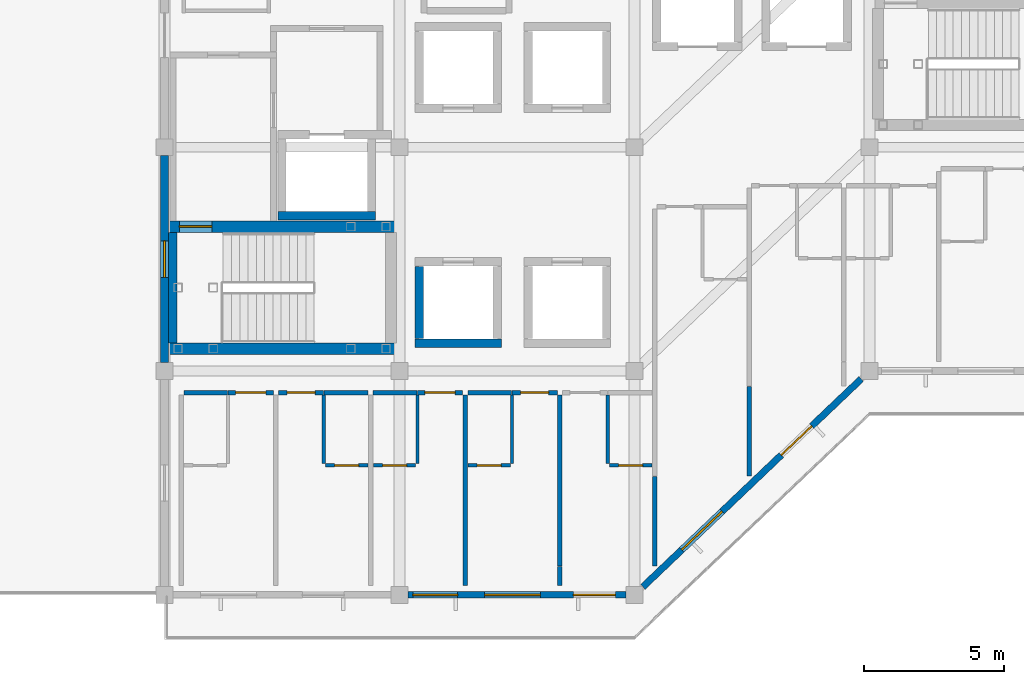
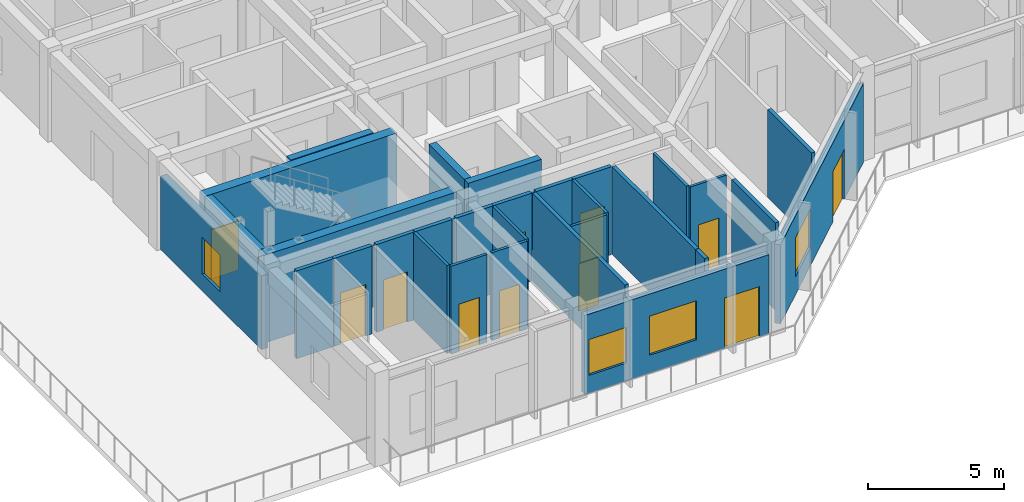
# One storey, part 4 of 13: 30 walls, 11 doors, 4 windows, 15 openings.
"""IFC4 building model written with IfcOpenShell, lengths in metres."""

from ifc_helpers import new_model, si_unit, direction, frame, frame_2d, origin, place, context, subcontext, project, spatial, rectangle, extrude, material, layer, layer_set, type_object, element, fill, save


model = new_model("IFC4")

# Units and contexts
model_context = context("Model", 3, precision=1e-05, world=origin(), true_north=direction((0.0, 1.0)))
body_context = subcontext(model_context, "Body", "Model", "MODEL_VIEW")
ifc_project = project(units=[si_unit("LENGTHUNIT", "METRE"), si_unit("AREAUNIT", "SQUARE_METRE"), si_unit("VOLUMEUNIT", "CUBIC_METRE"), si_unit("PLANEANGLEUNIT", "RADIAN"), si_unit("MASSUNIT", "GRAM", prefix="KILO")], contexts=[model_context])

# Site, building, storey
site_placement = place(None, origin())
site = spatial("IfcSite", under=ifc_project, at=site_placement, CompositionType="ELEMENT")
building_placement = place(site_placement, origin())
building = spatial("IfcBuilding", under=site, at=building_placement, Name="Naruveol Harbour Congress Hotel", CompositionType="ELEMENT")
storey_placement = place(building_placement, frame((0.0, 0.0, 43.199951171875)))
storey = spatial("IfcBuildingStorey", under=building, at=storey_placement, Name="L10", CompositionType="ELEMENT", Elevation=43.199951171875)

# Wall, opening, window
ifc_material_1 = material(Name="Precast concrete C40/50", Category="concrete")
ifc_layer_1 = layer(ifc_material_1, 0.280029296875)
ifc_layer_set_1 = layer_set([ifc_layer_1], Name="Precast concrete C40/50")
wall_type_1 = type_object("IfcWallType", Name="ARCHITECTURAL PRECAST FACADE WALL 280", PredefinedType="SOLIDWALL", material=ifc_layer_set_1)
wall_1_placement = place(storey_placement, frame((126.0, 8.300048828125, 0.0), z_axis=(0.0, 0.0, 1.0), x_axis=(0.0, 1.0, 0.0)))
wall_1 = element("IfcWall", 1, at=wall_1_placement, inside=storey, type_object=wall_type_1, Name="Hotel west gable wall L10 EW-280", PredefinedType="SOLIDWALL", context=body_context, shape_type="SweptSolid", body=[
    extrude(rectangle(XDim=7.39990234375, YDim=0.280029296875, at=frame_2d((3.699951171875, 0.0))), origin(), (0.0, 0.0, 1.0), 3.300048828125),
])
opening_1_placement = place(wall_1_placement, frame((3.050048828125, 0.0, 0.75)))
opening_1 = element("IfcOpeningElement", 2, at=opening_1_placement, cuts=wall_1, Name="Opening W-27", PredefinedType="OPENING", context=body_context, shape_type="SweptSolid", body=[
    extrude(rectangle(XDim=1.300048828125, YDim=1.64990234375, at=frame_2d((0.64990234375, 0.824951171875))), frame((0.0, 0.14990234375, 0.0), z_axis=(0.0, -1.0, 0.0), x_axis=(1.0, 0.0, 0.0)), (0.0, 0.0, 1.0), 0.300048828125),
])
ifc_material_2 = material(Name="Low-E Triple Glazing in Thermal Aluminium", Category="aluminium")
window_type_1 = type_object("IfcWindowType", Name="READING SALON TALL WINDOW 1300X1650", PartitioningType="SINGLE_PANEL", PredefinedType="WINDOW", material=ifc_material_2)
window_1_placement = place(opening_1_placement, origin())
window_1 = element("IfcWindow", 3, at=window_1_placement, inside=storey, type_object=window_type_1, Name="Window W-27 #503", OverallHeight=1.64990234375, OverallWidth=1.300048828125, PartitioningType="SINGLE_PANEL", PredefinedType="WINDOW", context=body_context, shape_type="SweptSolid", body=[
    extrude(rectangle(XDim=1.300048828125, YDim=1.64990234375, at=frame_2d((0.64990234375, 0.824951171875))), frame((0.0, 0.030029296875, 0.0), z_axis=(0.0, -1.0, 0.0), x_axis=(1.0, 0.0, 0.0)), (0.0, 0.0, 1.0), 0.06005859375),
])
fill(opening_1, window_1)

# Wall
ifc_material_3 = material(Name="Moisture-Resistant Gypsum Partition", Category="gypsum")
ifc_layer_2 = layer(ifc_material_3, 0.114990234375)
ifc_layer_set_2 = layer_set([ifc_layer_2], Name="Moisture-Resistant Gypsum Partition")
wall_type_2 = type_object("IfcWallType", Name="BATHROOM MOISTURE PARTITION WALL 115", PredefinedType="PARTITIONING", material=ifc_layer_set_2)
wall_2_placement = place(storey_placement, frame((131.68994140625, 4.68994140625, 0.0), z_axis=(0.0, 0.0, 1.0), x_axis=(0.0, 1.0, 0.0)))
element("IfcWall", 4, at=wall_2_placement, inside=storey, type_object=wall_type_2, Name="Bathroom west wall 1182 PW-115", PredefinedType="PARTITIONING", context=body_context, shape_type="SweptSolid", body=[
    extrude(rectangle(XDim=2.449951171875, YDim=0.114990234375, at=frame_2d((1.22509765625, 0.0))), origin(), (0.0, 0.0, 1.0), 3.93505859375),
])

# Wall, opening, door
wall_3_placement = place(storey_placement, frame((131.75, 4.6298828125, 0.0), z_axis=(0.0, 0.0, 1.0), x_axis=(1.0, 0.0, 0.0)))
wall_3 = element("IfcWall", 5, at=wall_3_placement, inside=storey, type_object=wall_type_2, Name="Bathroom south wall 1182 PW-115", PredefinedType="PARTITIONING", context=body_context, shape_type="SweptSolid", body=[
    extrude(rectangle(XDim=1.52001953125, YDim=0.114990234375, at=frame_2d((0.760009765625, 0.0))), origin(), (0.0, 0.0, 1.0), 3.93505859375),
])
opening_2_placement = place(wall_3_placement, frame((0.330078125, 0.0, 0.0)))
opening_2 = element("IfcOpeningElement", 6, at=opening_2_placement, cuts=wall_3, Name="Opening BD-RM1182", PredefinedType="OPENING", context=body_context, shape_type="SweptSolid", body=[
    extrude(rectangle(XDim=0.860107421875, YDim=2.1201171875, at=frame_2d((0.43017578125, 1.06005859375))), frame((0.0, 0.0673828125, 0.0), z_axis=(0.0, -1.0, 0.0), x_axis=(1.0, 0.0, 0.0)), (0.0, 0.0, 1.0), 0.135009765625),
])
ifc_material_4 = material(Name="Timber & Steel Acoustic Leaf", Category="steel")
door_type_1 = type_object("IfcDoorType", Name="GUEST BATHROOM DOOR 860X2120", OperationType="NOTDEFINED", PredefinedType="DOOR", material=ifc_material_4)
door_1_placement = place(opening_2_placement, origin())
door_1 = element("IfcDoor", 7, at=door_1_placement, inside=storey, type_object=door_type_1, Name="Bathroom Door 1182", OperationType="SINGLE_SWING_RIGHT", OverallHeight=2.1201171875, OverallWidth=0.860107421875, PredefinedType="DOOR", context=body_context, shape_type="SweptSolid", body=[
    extrude(rectangle(XDim=0.860107421875, YDim=2.1201171875, at=frame_2d((0.43017578125, 1.06005859375))), frame((0.0, 0.02490234375, 0.0), z_axis=(0.0, -1.0, 0.0), x_axis=(1.0, 0.0, 0.0)), (0.0, 0.0, 1.0), 0.050048828125),
])
fill(opening_2, door_1)

# Wall
wall_4_placement = place(storey_placement, frame((135.0400390625, 4.68994140625, 0.0), z_axis=(0.0, 0.0, 1.0), x_axis=(0.0, 1.0, 0.0)))
element("IfcWall", 8, at=wall_4_placement, inside=storey, type_object=wall_type_2, Name="Bathroom east wall 1183 PW-115", PredefinedType="PARTITIONING", context=body_context, shape_type="SweptSolid", body=[
    extrude(rectangle(XDim=2.449951171875, YDim=0.114990234375, at=frame_2d((1.22509765625, 0.0))), origin(), (0.0, 0.0, 1.0), 3.93505859375),
])

# Wall, opening, door
wall_5_placement = place(storey_placement, frame((133.469970703125, 4.6298828125, 0.0), z_axis=(0.0, 0.0, 1.0), x_axis=(1.0, 0.0, 0.0)))
wall_5 = element("IfcWall", 9, at=wall_5_placement, inside=storey, type_object=wall_type_2, Name="Bathroom south wall 1183 PW-115", PredefinedType="PARTITIONING", context=body_context, shape_type="SweptSolid", body=[
    extrude(rectangle(XDim=1.510009765625, YDim=0.114990234375, at=frame_2d((0.7548828125, 0.0))), origin(), (0.0, 0.0, 1.0), 3.93505859375),
])
opening_3_placement = place(wall_5_placement, frame((0.324951171875, 0.0, 0.0)))
opening_3 = element("IfcOpeningElement", 10, at=opening_3_placement, cuts=wall_5, Name="Opening BD-RM1183", PredefinedType="OPENING", context=body_context, shape_type="SweptSolid", body=[
    extrude(rectangle(XDim=0.860107421875, YDim=2.1201171875, at=frame_2d((0.43017578125, 1.06005859375))), frame((0.0, 0.0673828125, 0.0), z_axis=(0.0, -1.0, 0.0), x_axis=(1.0, 0.0, 0.0)), (0.0, 0.0, 1.0), 0.135009765625),
])
door_2_placement = place(opening_3_placement, origin())
door_2 = element("IfcDoor", 11, at=door_2_placement, inside=storey, type_object=door_type_1, Name="Bathroom Door 1183", OperationType="SINGLE_SWING_RIGHT", OverallHeight=2.1201171875, OverallWidth=0.860107421875, PredefinedType="DOOR", context=body_context, shape_type="SweptSolid", body=[
    extrude(rectangle(XDim=0.860107421875, YDim=2.1201171875, at=frame_2d((0.43017578125, 1.06005859375))), frame((0.0, 0.02490234375, 0.0), z_axis=(0.0, -1.0, 0.0), x_axis=(1.0, 0.0, 0.0)), (0.0, 0.0, 1.0), 0.050048828125),
])
fill(opening_3, door_2)

# Wall
wall_6_placement = place(storey_placement, frame((138.419921875, 4.68994140625, 0.0), z_axis=(0.0, 0.0, 1.0), x_axis=(0.0, 1.0, 0.0)))
element("IfcWall", 12, at=wall_6_placement, inside=storey, type_object=wall_type_2, Name="Bathroom east wall 1184 PW-115", PredefinedType="PARTITIONING", context=body_context, shape_type="SweptSolid", body=[
    extrude(rectangle(XDim=2.449951171875, YDim=0.114990234375, at=frame_2d((1.22509765625, 0.0))), origin(), (0.0, 0.0, 1.0), 3.93505859375),
])

# Wall, opening, door
wall_7_placement = place(storey_placement, frame((136.85009765625, 4.6298828125, 0.0), z_axis=(0.0, 0.0, 1.0), x_axis=(1.0, 0.0, 0.0)))
wall_7 = element("IfcWall", 13, at=wall_7_placement, inside=storey, type_object=wall_type_2, Name="Bathroom south wall 1184 PW-115", PredefinedType="PARTITIONING", context=body_context, shape_type="SweptSolid", body=[
    extrude(rectangle(XDim=1.510009765625, YDim=0.114990234375, at=frame_2d((0.7548828125, 0.0))), origin(), (0.0, 0.0, 1.0), 3.93505859375),
])
opening_4_placement = place(wall_7_placement, frame((0.324951171875, 0.0, 0.0)))
opening_4 = element("IfcOpeningElement", 14, at=opening_4_placement, cuts=wall_7, Name="Opening BD-RM1184", PredefinedType="OPENING", context=body_context, shape_type="SweptSolid", body=[
    extrude(rectangle(XDim=0.860107421875, YDim=2.1201171875, at=frame_2d((0.43017578125, 1.06005859375))), frame((0.0, 0.0673828125, 0.0), z_axis=(0.0, -1.0, 0.0), x_axis=(1.0, 0.0, 0.0)), (0.0, 0.0, 1.0), 0.135009765625),
])
door_3_placement = place(opening_4_placement, origin())
door_3 = element("IfcDoor", 15, at=door_3_placement, inside=storey, type_object=door_type_1, Name="Bathroom Door 1184", OperationType="SINGLE_SWING_RIGHT", OverallHeight=2.1201171875, OverallWidth=0.860107421875, PredefinedType="DOOR", context=body_context, shape_type="SweptSolid", body=[
    extrude(rectangle(XDim=0.860107421875, YDim=2.1201171875, at=frame_2d((0.43017578125, 1.06005859375))), frame((0.0, 0.02490234375, 0.0), z_axis=(0.0, -1.0, 0.0), x_axis=(1.0, 0.0, 0.0)), (0.0, 0.0, 1.0), 0.050048828125),
])
fill(opening_4, door_3)

# Wall
wall_8_placement = place(storey_placement, frame((141.840087890625, 4.68994140625, 0.0), z_axis=(0.0, 0.0, 1.0), x_axis=(0.0, 1.0, 0.0)))
element("IfcWall", 16, at=wall_8_placement, inside=storey, type_object=wall_type_2, Name="Bathroom west wall 1185 PW-115", PredefinedType="PARTITIONING", context=body_context, shape_type="SweptSolid", body=[
    extrude(rectangle(XDim=2.449951171875, YDim=0.114990234375, at=frame_2d((1.22509765625, 0.0))), origin(), (0.0, 0.0, 1.0), 3.93505859375),
])

# Wall, opening, door
wall_9_placement = place(storey_placement, frame((141.89990234375, 4.6298828125, 0.0), z_axis=(0.0, 0.0, 1.0), x_axis=(1.0, 0.0, 0.0)))
wall_9 = element("IfcWall", 17, at=wall_9_placement, inside=storey, type_object=wall_type_2, Name="Bathroom south wall 1185 PW-115", PredefinedType="PARTITIONING", context=body_context, shape_type="SweptSolid", body=[
    extrude(rectangle(XDim=1.52001953125, YDim=0.114990234375, at=frame_2d((0.760009765625, 0.0))), origin(), (0.0, 0.0, 1.0), 3.93505859375),
])
opening_5_placement = place(wall_9_placement, frame((0.330078125, 0.0, 0.0)))
opening_5 = element("IfcOpeningElement", 18, at=opening_5_placement, cuts=wall_9, Name="Opening BD-RM1185", PredefinedType="OPENING", context=body_context, shape_type="SweptSolid", body=[
    extrude(rectangle(XDim=0.860107421875, YDim=2.1201171875, at=frame_2d((0.43017578125, 1.06005859375))), frame((0.0, 0.0673828125, 0.0), z_axis=(0.0, -1.0, 0.0), x_axis=(1.0, 0.0, 0.0)), (0.0, 0.0, 1.0), 0.135009765625),
])
door_4_placement = place(opening_5_placement, origin())
door_4 = element("IfcDoor", 19, at=door_4_placement, inside=storey, type_object=door_type_1, Name="Bathroom Door 1185", OperationType="SINGLE_SWING_RIGHT", OverallHeight=2.1201171875, OverallWidth=0.860107421875, PredefinedType="DOOR", context=body_context, shape_type="SweptSolid", body=[
    extrude(rectangle(XDim=0.860107421875, YDim=2.1201171875, at=frame_2d((0.43017578125, 1.06005859375))), frame((0.0, 0.02490234375, 0.0), z_axis=(0.0, -1.0, 0.0), x_axis=(1.0, 0.0, 0.0)), (0.0, 0.0, 1.0), 0.050048828125),
])
fill(opening_5, door_4)

# Wall
ifc_material_5 = material(Name="Autoclaved Aerated Concrete Block", Category="concrete")
ifc_layer_3 = layer(ifc_material_5, 0.159912109375)
ifc_layer_set_3 = layer_set([ifc_layer_3], Name="Autoclaved Aerated Concrete Block")
wall_type_3 = type_object("IfcWallType", Name="HOTEL PARTY AND CORRIDOR WALL 160 EI60", PredefinedType="PARTITIONING", material=ifc_layer_set_3)
wall_10_placement = place(storey_placement, frame((126.68994140625, 7.22998046875, 0.0), z_axis=(0.0, 0.0, 1.0), x_axis=(1.0, 0.0, 0.0)))
element("IfcWall", 20, at=wall_10_placement, inside=storey, type_object=wall_type_3, Name="Corridor wall 1181B PW-160", PredefinedType="PARTITIONING", context=body_context, shape_type="SweptSolid", body=[
    extrude(rectangle(XDim=1.570068359375, YDim=0.159912109375, at=frame_2d((0.78515625, 0.0))), origin(), (0.0, 0.0, 1.0), 3.93505859375),
])

# Wall, opening, door
wall_11_placement = place(storey_placement, frame((128.27001953125, 7.22998046875, 0.0), z_axis=(0.0, 0.0, 1.0), x_axis=(1.0, 0.0, 0.0)))
wall_11 = element("IfcWall", 21, at=wall_11_placement, inside=storey, type_object=wall_type_3, Name="Corridor entry wall 1181 PW-160", PredefinedType="PARTITIONING", context=body_context, shape_type="SweptSolid", body=[
    extrude(rectangle(XDim=1.619873046875, YDim=0.159912109375, at=frame_2d((0.81005859375, 0.0))), origin(), (0.0, 0.0, 1.0), 3.93505859375),
])
opening_6_placement = place(wall_11_placement, frame((0.27001953125, 0.0, 0.0)))
opening_6 = element("IfcOpeningElement", 22, at=opening_6_placement, cuts=wall_11, Name="Opening FD-RM1181", PredefinedType="OPENING", context=body_context, shape_type="SweptSolid", body=[
    extrude(rectangle(XDim=1.080078125, YDim=2.300048828125, at=frame_2d((0.5400390625, 1.14990234375))), frame((0.0, 0.08984375, 0.0), z_axis=(0.0, -1.0, 0.0), x_axis=(1.0, 0.0, 0.0)), (0.0, 0.0, 1.0), 0.179931640625),
])
ifc_material_6 = material(Name="Timber & Steel Acoustic Leaf", Category="steel")
door_type_2 = type_object("IfcDoorType", Name="SUITE ENTRANCE FIRE DOOR 1080X2300", OperationType="NOTDEFINED", PredefinedType="DOOR", material=ifc_material_6)
door_5_placement = place(opening_6_placement, origin())
door_5 = element("IfcDoor", 23, at=door_5_placement, inside=storey, type_object=door_type_2, Name="Hotel Room Door 1181", OperationType="SINGLE_SWING_LEFT", OverallHeight=2.300048828125, OverallWidth=1.080078125, PredefinedType="DOOR", context=body_context, shape_type="SweptSolid", body=[
    extrude(rectangle(XDim=1.080078125, YDim=2.300048828125, at=frame_2d((0.5400390625, 1.14990234375))), frame((0.0, 0.02490234375, 0.0), z_axis=(0.0, -1.0, 0.0), x_axis=(1.0, 0.0, 0.0)), (0.0, 0.0, 1.0), 0.050048828125),
])
fill(opening_6, door_5)

wall_12_placement = place(storey_placement, frame((130.070068359375, 7.22998046875, 0.0), z_axis=(0.0, 0.0, 1.0), x_axis=(1.0, 0.0, 0.0)))
wall_12 = element("IfcWall", 24, at=wall_12_placement, inside=storey, type_object=wall_type_3, Name="Corridor entry wall 1182 PW-160", PredefinedType="PARTITIONING", context=body_context, shape_type="SweptSolid", body=[
    extrude(rectangle(XDim=1.619873046875, YDim=0.159912109375, at=frame_2d((0.81005859375, 0.0))), origin(), (0.0, 0.0, 1.0), 3.93505859375),
])
opening_7_placement = place(wall_12_placement, frame((0.31005859375, 0.0, 0.0)))
opening_7 = element("IfcOpeningElement", 25, at=opening_7_placement, cuts=wall_12, Name="Opening FD-RM1182", PredefinedType="OPENING", context=body_context, shape_type="SweptSolid", body=[
    extrude(rectangle(XDim=1.0, YDim=2.25, at=frame_2d((0.5, 1.125))), frame((0.0, 0.08984375, 0.0), z_axis=(0.0, -1.0, 0.0), x_axis=(1.0, 0.0, 0.0)), (0.0, 0.0, 1.0), 0.179931640625),
])
ifc_material_7 = material(Name="Timber & Steel Acoustic Leaf", Category="steel")
door_type_3 = type_object("IfcDoorType", Name="DELUXE GUEST ENTRANCE FIRE DOOR 1000X2250", OperationType="NOTDEFINED", PredefinedType="DOOR", material=ifc_material_7)
door_6_placement = place(opening_7_placement, origin())
door_6 = element("IfcDoor", 26, at=door_6_placement, inside=storey, type_object=door_type_3, Name="Hotel Room Door 1182", OperationType="SINGLE_SWING_LEFT", OverallHeight=2.25, OverallWidth=1.0, PredefinedType="DOOR", context=body_context, shape_type="SweptSolid", body=[
    extrude(rectangle(XDim=1.0, YDim=2.25, at=frame_2d((0.5, 1.125))), frame((0.0, 0.02490234375, 0.0), z_axis=(0.0, -1.0, 0.0), x_axis=(1.0, 0.0, 0.0)), (0.0, 0.0, 1.0), 0.050048828125),
])
fill(opening_7, door_6)

# Walls
wall_13_placement = place(storey_placement, frame((131.699951171875, 7.22998046875, 0.0), z_axis=(0.0, 0.0, 1.0), x_axis=(1.0, 0.0, 0.0)))
element("IfcWall", 27, at=wall_13_placement, inside=storey, type_object=wall_type_3, Name="Corridor wall 1182B PW-160", PredefinedType="PARTITIONING", context=body_context, shape_type="SweptSolid", body=[
    extrude(rectangle(XDim=1.580078125, YDim=0.159912109375, at=frame_2d((0.7900390625, 0.0))), origin(), (0.0, 0.0, 1.0), 3.93505859375),
])
wall_14_placement = place(storey_placement, frame((133.4599609375, 7.22998046875, 0.0), z_axis=(0.0, 0.0, 1.0), x_axis=(1.0, 0.0, 0.0)))
element("IfcWall", 28, at=wall_14_placement, inside=storey, type_object=wall_type_3, Name="Corridor wall 1183B PW-160", PredefinedType="PARTITIONING", context=body_context, shape_type="SweptSolid", body=[
    extrude(rectangle(XDim=1.570068359375, YDim=0.159912109375, at=frame_2d((0.78515625, 0.0))), origin(), (0.0, 0.0, 1.0), 3.93505859375),
])

# Wall, opening, door
wall_15_placement = place(storey_placement, frame((135.0400390625, 7.22998046875, 0.0), z_axis=(0.0, 0.0, 1.0), x_axis=(1.0, 0.0, 0.0)))
wall_15 = element("IfcWall", 29, at=wall_15_placement, inside=storey, type_object=wall_type_3, Name="Corridor entry wall 1183 PW-160", PredefinedType="PARTITIONING", context=body_context, shape_type="SweptSolid", body=[
    extrude(rectangle(XDim=1.619873046875, YDim=0.159912109375, at=frame_2d((0.81005859375, 0.0))), origin(), (0.0, 0.0, 1.0), 3.93505859375),
])
opening_8_placement = place(wall_15_placement, frame((0.27001953125, 0.0, 0.0)))
opening_8 = element("IfcOpeningElement", 30, at=opening_8_placement, cuts=wall_15, Name="Opening FD-RM1183", PredefinedType="OPENING", context=body_context, shape_type="SweptSolid", body=[
    extrude(rectangle(XDim=1.080078125, YDim=2.300048828125, at=frame_2d((0.5400390625, 1.14990234375))), frame((0.0, 0.08984375, 0.0), z_axis=(0.0, -1.0, 0.0), x_axis=(1.0, 0.0, 0.0)), (0.0, 0.0, 1.0), 0.179931640625),
])
door_7_placement = place(opening_8_placement, origin())
door_7 = element("IfcDoor", 31, at=door_7_placement, inside=storey, type_object=door_type_2, Name="Hotel Room Door 1183", OperationType="SINGLE_SWING_LEFT", OverallHeight=2.300048828125, OverallWidth=1.080078125, PredefinedType="DOOR", context=body_context, shape_type="SweptSolid", body=[
    extrude(rectangle(XDim=1.080078125, YDim=2.300048828125, at=frame_2d((0.5400390625, 1.14990234375))), frame((0.0, 0.02490234375, 0.0), z_axis=(0.0, -1.0, 0.0), x_axis=(1.0, 0.0, 0.0)), (0.0, 0.0, 1.0), 0.050048828125),
])
fill(opening_8, door_7)

# Wall
wall_16_placement = place(storey_placement, frame((136.840087890625, 7.22998046875, 0.0), z_axis=(0.0, 0.0, 1.0), x_axis=(1.0, 0.0, 0.0)))
element("IfcWall", 32, at=wall_16_placement, inside=storey, type_object=wall_type_3, Name="Corridor wall 1184B PW-160", PredefinedType="PARTITIONING", context=body_context, shape_type="SweptSolid", body=[
    extrude(rectangle(XDim=1.56982421875, YDim=0.159912109375, at=frame_2d((0.784912109375, 0.0))), origin(), (0.0, 0.0, 1.0), 3.93505859375),
])

# Wall, opening, door
wall_17_placement = place(storey_placement, frame((138.419921875, 7.22998046875, 0.0), z_axis=(0.0, 0.0, 1.0), x_axis=(1.0, 0.0, 0.0)))
wall_17 = element("IfcWall", 33, at=wall_17_placement, inside=storey, type_object=wall_type_3, Name="Corridor entry wall 1184 PW-160", PredefinedType="PARTITIONING", context=body_context, shape_type="SweptSolid", body=[
    extrude(rectangle(XDim=1.6201171875, YDim=0.159912109375, at=frame_2d((0.81005859375, 0.0))), origin(), (0.0, 0.0, 1.0), 3.93505859375),
])
opening_9_placement = place(wall_17_placement, frame((0.31005859375, 0.0, 0.0)))
opening_9 = element("IfcOpeningElement", 34, at=opening_9_placement, cuts=wall_17, Name="Opening FD-RM1184", PredefinedType="OPENING", context=body_context, shape_type="SweptSolid", body=[
    extrude(rectangle(XDim=1.0, YDim=2.25, at=frame_2d((0.5, 1.125))), frame((0.0, 0.08984375, 0.0), z_axis=(0.0, -1.0, 0.0), x_axis=(1.0, 0.0, 0.0)), (0.0, 0.0, 1.0), 0.179931640625),
])
door_8_placement = place(opening_9_placement, origin())
door_8 = element("IfcDoor", 35, at=door_8_placement, inside=storey, type_object=door_type_3, Name="Hotel Room Door 1184", OperationType="SINGLE_SWING_LEFT", OverallHeight=2.25, OverallWidth=1.0, PredefinedType="DOOR", context=body_context, shape_type="SweptSolid", body=[
    extrude(rectangle(XDim=1.0, YDim=2.25, at=frame_2d((0.5, 1.125))), frame((0.0, 0.02490234375, 0.0), z_axis=(0.0, -1.0, 0.0), x_axis=(1.0, 0.0, 0.0)), (0.0, 0.0, 1.0), 0.050048828125),
])
fill(opening_9, door_8)

# Walls
wall_18_placement = place(storey_placement, frame((136.75, 0.340087890625, 0.0), z_axis=(0.0, 0.0, 1.0), x_axis=(0.0, 1.0, 0.0)))
element("IfcWall", 36, at=wall_18_placement, inside=storey, type_object=wall_type_3, Name="Hotel party wall 1184 PW-160", PredefinedType="PARTITIONING", context=body_context, shape_type="SweptSolid", body=[
    extrude(rectangle(XDim=6.7998046875, YDim=0.159912109375, at=frame_2d((3.39990234375, 0.0))), origin(), (0.0, 0.0, 1.0), 3.93505859375),
])
wall_19_placement = place(storey_placement, frame((140.1298828125, 0.340087890625, 0.0), z_axis=(0.0, 0.0, 1.0), x_axis=(0.0, 1.0, 0.0)))
element("IfcWall", 37, at=wall_19_placement, inside=storey, type_object=wall_type_3, Name="Hotel end party wall 1184 PW-160", PredefinedType="PARTITIONING", context=body_context, shape_type="SweptSolid", body=[
    extrude(rectangle(XDim=0.679931640625, YDim=0.159912109375, at=frame_2d((0.33984375, 0.0))), origin(), (0.0, 0.0, 1.0), 3.93505859375),
])
wall_20_placement = place(storey_placement, frame((140.1298828125, 1.030029296875, 0.0), z_axis=(0.0, 0.0, 1.0), x_axis=(0.0, 1.0, 0.0)))
element("IfcWall", 38, at=wall_20_placement, inside=storey, type_object=wall_type_3, Name="Hotel party wall 1185 PW-160", PredefinedType="PARTITIONING", context=body_context, shape_type="SweptSolid", body=[
    extrude(rectangle(XDim=6.10986328125, YDim=0.159912109375, at=frame_2d((3.054931640625, 0.0))), origin(), (0.0, 0.0, 1.0), 3.93505859375),
])
wall_21_placement = place(storey_placement, frame((143.52001953125, 1.030029296875, 0.0), z_axis=(0.0, 0.0, 1.0), x_axis=(0.0, 1.0, 0.0)))
element("IfcWall", 39, at=wall_21_placement, inside=storey, type_object=wall_type_3, Name="Hotel end party wall 1185 PW-160", PredefinedType="PARTITIONING", context=body_context, shape_type="SweptSolid", body=[
    extrude(rectangle(XDim=3.199951171875, YDim=0.159912109375, at=frame_2d((1.60009765625, 0.0))), origin(), (0.0, 0.0, 1.0), 3.93505859375),
])
wall_22_placement = place(storey_placement, frame((146.89990234375, 4.239990234375, 0.0), z_axis=(0.0, 0.0, 1.0), x_axis=(0.0, 1.0, 0.0)))
element("IfcWall", 40, at=wall_22_placement, inside=storey, type_object=wall_type_3, Name="Hotel end party wall 1186 PW-160", PredefinedType="PARTITIONING", context=body_context, shape_type="SweptSolid", body=[
    extrude(rectangle(XDim=3.2099609375, YDim=0.159912109375, at=frame_2d((1.60498046875, 0.0))), origin(), (0.0, 0.0, 1.0), 3.93505859375),
])

# Wall, openings, windows, door
ifc_material_8 = material(Name="Concrete C40/50", Category="concrete")
ifc_layer_4 = layer(ifc_material_8, 0.239990234375)
ifc_layer_set_4 = layer_set([ifc_layer_4], Name="Concrete C40/50")
wall_type_4 = type_object("IfcWallType", Name="INSULATED HOTEL SPANDREL WALL 240", PredefinedType="SOLIDWALL", material=ifc_layer_set_4)
wall_23_placement = place(storey_placement, frame((142.5, 0.0, 0.0), z_axis=(0.0, 0.0, 1.0), x_axis=(-1.0, 0.0, 0.0)))
wall_23 = element("IfcWall", 41, at=wall_23_placement, inside=storey, type_object=wall_type_4, Name="Hotel south waterfront wall L10 EW-240", PredefinedType="SOLIDWALL", context=body_context, shape_type="SweptSolid", body=[
    extrude(rectangle(XDim=7.800048828125, YDim=0.239990234375, at=frame_2d((3.89990234375, 0.0))), origin(), (0.0, 0.0, 1.0), 3.5400390625),
])
opening_10_placement = place(wall_23_placement, frame((0.385009765625, 0.0, 0.0)))
opening_10 = element("IfcOpeningElement", 42, at=opening_10_placement, cuts=wall_23, Name="Opening BD-150-074", PredefinedType="OPENING", context=body_context, shape_type="SweptSolid", body=[
    extrude(rectangle(XDim=1.5, YDim=2.25, at=frame_2d((0.75, 1.125))), frame((0.0, 0.1298828125, 0.0), z_axis=(0.0, -1.0, 0.0), x_axis=(1.0, 0.0, 0.0)), (0.0, 0.0, 1.0), 0.260009765625),
])
opening_11_placement = place(wall_23_placement, frame((3.06005859375, 0.0, 0.800048828125)))
opening_11 = element("IfcOpeningElement", 43, at=opening_11_placement, cuts=wall_23, Name="Opening W-05", PredefinedType="OPENING", context=body_context, shape_type="SweptSolid", body=[
    extrude(rectangle(XDim=2.0, YDim=1.75, at=frame_2d((1.0, 0.875))), frame((0.0, 0.1298828125, 0.0), z_axis=(0.0, -1.0, 0.0), x_axis=(1.0, 0.0, 0.0)), (0.0, 0.0, 1.0), 0.260009765625),
])
opening_12_placement = place(wall_23_placement, frame((6.02490234375, 0.0, 0.800048828125)))
opening_12 = element("IfcOpeningElement", 44, at=opening_12_placement, cuts=wall_23, Name="Opening W-03", PredefinedType="OPENING", context=body_context, shape_type="SweptSolid", body=[
    extrude(rectangle(XDim=1.60009765625, YDim=1.60009765625, at=frame_2d((0.800048828125, 0.800048828125))), frame((0.0, 0.1298828125, 0.0), z_axis=(0.0, -1.0, 0.0), x_axis=(1.0, 0.0, 0.0)), (0.0, 0.0, 1.0), 0.260009765625),
])
ifc_material_9 = material(Name="Low-E Triple Glazing in Thermal Aluminium", Category="aluminium")
window_type_2 = type_object("IfcWindowType", Name="DELUXE GUEST WINDOW 1600X1600", PartitioningType="SINGLE_PANEL", PredefinedType="WINDOW", material=ifc_material_9)
window_2_placement = place(opening_12_placement, origin())
window_2 = element("IfcWindow", 45, at=window_2_placement, inside=storey, type_object=window_type_2, Name="Window W-03 #483", OverallHeight=1.60009765625, OverallWidth=1.60009765625, PartitioningType="SINGLE_PANEL", PredefinedType="WINDOW", context=body_context, shape_type="SweptSolid", body=[
    extrude(rectangle(XDim=1.60009765625, YDim=1.60009765625, at=frame_2d((0.800048828125, 0.800048828125))), frame((0.0, 0.030029296875, 0.0), z_axis=(0.0, -1.0, 0.0), x_axis=(1.0, 0.0, 0.0)), (0.0, 0.0, 1.0), 0.06005859375),
])
fill(opening_12, window_2)
ifc_material_10 = material(Name="Low-E Triple Glazing in Thermal Aluminium", Category="aluminium")
window_type_3 = type_object("IfcWindowType", Name="GARDEN SUITE WINDOW 2000X1750", PartitioningType="DOUBLE_PANEL_VERTICAL", PredefinedType="WINDOW", material=ifc_material_10)
window_3_placement = place(opening_11_placement, origin())
window_3 = element("IfcWindow", 46, at=window_3_placement, inside=storey, type_object=window_type_3, Name="Window W-05 #482", OverallHeight=1.75, OverallWidth=2.0, PartitioningType="DOUBLE_PANEL_VERTICAL", PredefinedType="WINDOW", context=body_context, shape_type="SweptSolid", body=[
    extrude(rectangle(XDim=2.0, YDim=1.75, at=frame_2d((1.0, 0.875))), frame((0.0, 0.030029296875, 0.0), z_axis=(0.0, -1.0, 0.0), x_axis=(1.0, 0.0, 0.0)), (0.0, 0.0, 1.0), 0.06005859375),
])
fill(opening_11, window_3)
ifc_material_11 = material(Name="Powder-Coated Steel & Insulated Glazing", Category="steel")
door_type_4 = type_object("IfcDoorType", Name="SUITE BALCONY SLIDING DOOR 1500X2250", OperationType="SLIDING_TO_LEFT", PredefinedType="DOOR", material=ifc_material_11)
door_9_placement = place(opening_10_placement, origin())
door_9 = element("IfcDoor", 47, at=door_9_placement, inside=storey, type_object=door_type_4, Name="Exterior door BD-150-074", OperationType="SLIDING_TO_LEFT", OverallHeight=2.25, OverallWidth=1.5, PredefinedType="DOOR", context=body_context, shape_type="SweptSolid", body=[
    extrude(rectangle(XDim=1.5, YDim=2.25, at=frame_2d((0.75, 1.125))), frame((0.0, 0.02490234375, 0.0), z_axis=(0.0, -1.0, 0.0), x_axis=(1.0, 0.0, 0.0)), (0.0, 0.0, 1.0), 0.050048828125),
])
fill(opening_10, door_9)

# Wall, openings, window, door
wall_24_placement = place(storey_placement, frame((150.89990234375, 7.714111328125, 0.0), z_axis=(0.0, 0.0, 1.0), x_axis=(-0.724145477467, -0.689647248573, 0.0)))
wall_24 = element("IfcWall", 48, at=wall_24_placement, inside=storey, type_object=wall_type_4, Name="Hotel south waterfront wall L10 EW-240", PredefinedType="SOLIDWALL", context=body_context, shape_type="SweptSolid", body=[
    extrude(rectangle(XDim=10.77099609375, YDim=0.239990234375, at=frame_2d((5.385498046875, 0.0))), origin(), (0.0, 0.0, 1.0), 3.5400390625),
])
opening_13_placement = place(wall_24_placement, frame((2.43994140625, 0.0, 0.0)))
opening_13 = element("IfcOpeningElement", 49, at=opening_13_placement, cuts=wall_24, Name="Opening BD-150-075", PredefinedType="OPENING", context=body_context, shape_type="SweptSolid", body=[
    extrude(rectangle(XDim=1.5, YDim=2.25, at=frame_2d((0.75, 1.125))), frame((0.0, 0.1298828125, 0.0), z_axis=(0.0, -1.0, 0.0), x_axis=(1.0, 0.0, 0.0)), (0.0, 0.0, 1.0), 0.260009765625),
])
opening_14_placement = place(wall_24_placement, frame((6.85693359375, 0.0, 0.800048828125)))
opening_14 = element("IfcOpeningElement", 50, at=opening_14_placement, cuts=wall_24, Name="Opening W-05", PredefinedType="OPENING", context=body_context, shape_type="SweptSolid", body=[
    extrude(rectangle(XDim=2.0, YDim=1.75, at=frame_2d((1.0, 0.875))), frame((0.0, 0.1298828125, 0.0), z_axis=(0.0, -1.0, 0.0), x_axis=(1.0, 0.0, 0.0)), (0.0, 0.0, 1.0), 0.260009765625),
])
window_4_placement = place(opening_14_placement, origin())
window_4 = element("IfcWindow", 51, at=window_4_placement, inside=storey, type_object=window_type_3, Name="Window W-05 #487", OverallHeight=1.75, OverallWidth=2.0, PartitioningType="DOUBLE_PANEL_VERTICAL", PredefinedType="WINDOW", context=body_context, shape_type="SweptSolid", body=[
    extrude(rectangle(XDim=2.0, YDim=1.75, at=frame_2d((1.0, 0.875))), frame((0.0, 0.030029296875, 0.0), z_axis=(0.0, -1.0, 0.0), x_axis=(1.0, 0.0, 0.0)), (0.0, 0.0, 1.0), 0.06005859375),
])
fill(opening_14, window_4)
door_10_placement = place(opening_13_placement, origin())
door_10 = element("IfcDoor", 52, at=door_10_placement, inside=storey, type_object=door_type_4, Name="Exterior door BD-150-075", OperationType="SLIDING_TO_LEFT", OverallHeight=2.25, OverallWidth=1.5, PredefinedType="DOOR", context=body_context, shape_type="SweptSolid", body=[
    extrude(rectangle(XDim=1.5, YDim=2.25, at=frame_2d((0.75, 1.125))), frame((0.0, 0.02490234375, 0.0), z_axis=(0.0, -1.0, 0.0), x_axis=(1.0, 0.0, 0.0)), (0.0, 0.0, 1.0), 0.050048828125),
])
fill(opening_13, door_10)

# Wall
ifc_material_12 = material(Name="Concrete C50/60", Category="concrete")
ifc_layer_5 = layer(ifc_material_12, 0.39990234375)
ifc_layer_set_5 = layer_set([ifc_layer_5], Name="Concrete C50/60")
wall_type_5 = type_object("IfcWallType", Name="RC CORE SHEAR WALL 400 EI120", PredefinedType="SHEAR", material=ifc_layer_set_5)
wall_25_placement = place(storey_placement, frame((126.14990234375, 8.800048828125, 0.0), z_axis=(0.0, 0.0, 1.0), x_axis=(1.0, 0.0, 0.0)))
element("IfcWall", 53, at=wall_25_placement, inside=storey, type_object=wall_type_5, Name="Stair ST1 south core wall CW-400", PredefinedType="SHEAR", context=body_context, shape_type="SweptSolid", body=[
    extrude(rectangle(XDim=8.150146484375, YDim=0.39990234375, at=frame_2d((4.0751953125, 0.0))), origin(), (0.0, 0.0, 1.0), 3.93505859375),
])

# Wall, opening, door
wall_26_placement = place(storey_placement, frame((126.14990234375, 13.159912109375, 0.0), z_axis=(0.0, 0.0, 1.0), x_axis=(1.0, 0.0, 0.0)))
wall_26 = element("IfcWall", 54, at=wall_26_placement, inside=storey, type_object=wall_type_5, Name="Stair ST1 north core wall CW-400", PredefinedType="SHEAR", context=body_context, shape_type="SweptSolid", body=[
    extrude(rectangle(XDim=8.150146484375, YDim=0.39990234375, at=frame_2d((4.0751953125, 0.0))), origin(), (0.0, 0.0, 1.0), 3.93505859375),
])
opening_15_placement = place(wall_26_placement, frame((0.3798828125, 0.0, 0.0)))
opening_15 = element("IfcOpeningElement", 55, at=opening_15_placement, cuts=wall_26, Name="Opening FD-ST1-S-L10", PredefinedType="OPENING", context=body_context, shape_type="SweptSolid", body=[
    extrude(rectangle(XDim=1.159912109375, YDim=2.199951171875, at=frame_2d((0.580078125, 1.10009765625))), frame((0.0, 0.2099609375, 0.0), z_axis=(0.0, -1.0, 0.0), x_axis=(1.0, 0.0, 0.0)), (0.0, 0.0, 1.0), 0.419921875),
])
ifc_material_13 = material(Name="Timber & Steel Acoustic Leaf", Category="steel")
door_type_5 = type_object("IfcDoorType", Name="SPECIAL ESCAPE STAIR FIRE DOOR 1160X2200", OperationType="NOTDEFINED", PredefinedType="DOOR", material=ifc_material_13)
door_11_placement = place(opening_15_placement, origin())
door_11 = element("IfcDoor", 56, at=door_11_placement, inside=storey, type_object=door_type_5, Name="Special Escape Stair Door ST1 L10", OperationType="SINGLE_SWING_RIGHT", OverallHeight=2.199951171875, OverallWidth=1.159912109375, PredefinedType="DOOR", context=body_context, shape_type="SweptSolid", body=[
    extrude(rectangle(XDim=1.159912109375, YDim=2.199951171875, at=frame_2d((0.580078125, 1.10009765625))), frame((0.0, 0.02490234375, 0.0), z_axis=(0.0, -1.0, 0.0), x_axis=(1.0, 0.0, 0.0)), (0.0, 0.0, 1.0), 0.050048828125),
])
fill(opening_15, door_11)

# Walls
ifc_material_14 = material(Name="Concrete C50/60", Category="concrete")
ifc_layer_6 = layer(ifc_material_14, 0.300048828125)
ifc_layer_set_6 = layer_set([ifc_layer_6], Name="Concrete C50/60")
wall_type_6 = type_object("IfcWallType", Name="RC STAIR AND HOISTWAY SHEAR WALL 300 EI120", PredefinedType="SHEAR", material=ifc_layer_set_6)
wall_27_placement = place(storey_placement, frame((134.949951171875, 9.0, 0.0), z_axis=(0.0, 0.0, 1.0), x_axis=(1.0, 0.0, 0.0)))
element("IfcWall", 57, at=wall_27_placement, inside=storey, type_object=wall_type_6, Name="Hoistway south shear wall PL3 SW-300", PredefinedType="SHEAR", context=body_context, shape_type="SweptSolid", body=[
    extrude(rectangle(XDim=3.10009765625, YDim=0.300048828125, at=frame_2d((1.550048828125, 0.0))), origin(), (0.0, 0.0, 1.0), 3.93505859375),
])
wall_28_placement = place(storey_placement, frame((135.10009765625, 11.7451171875, 0.0), z_axis=(0.0, 0.0, 1.0), x_axis=(0.0, -1.0, 0.0)))
element("IfcWall", 58, at=wall_28_placement, inside=storey, type_object=wall_type_6, Name="Hoistway west shear wall PL3 SW-300", PredefinedType="SHEAR", context=body_context, shape_type="SweptSolid", body=[
    extrude(rectangle(XDim=2.590087890625, YDim=0.300048828125, at=frame_2d((1.294921875, 0.0))), origin(), (0.0, 0.0, 1.0), 3.93505859375),
])
wall_29_placement = place(storey_placement, frame((130.050048828125, 13.550048828125, 0.0), z_axis=(0.0, 0.0, 1.0), x_axis=(1.0, 0.0, 0.0)))
element("IfcWall", 59, at=wall_29_placement, inside=storey, type_object=wall_type_6, Name="Hoistway south shear wall FL1 SW-300", PredefinedType="SHEAR", context=body_context, shape_type="SweptSolid", body=[
    extrude(rectangle(XDim=3.5, YDim=0.300048828125, at=frame_2d((1.75, 0.0))), origin(), (0.0, 0.0, 1.0), 3.93505859375),
])
wall_30_placement = place(storey_placement, frame((126.300048828125, 9.0048828125, 0.0), z_axis=(0.0, 0.0, 1.0), x_axis=(0.0, 1.0, 0.0)))
element("IfcWall", 60, at=wall_30_placement, inside=storey, type_object=wall_type_6, Name="Stair ST1 west core wall SW-300", PredefinedType="SHEAR", context=body_context, shape_type="SweptSolid", body=[
    extrude(rectangle(XDim=3.9501953125, YDim=0.300048828125, at=frame_2d((1.97509765625, 0.0))), origin(), (0.0, 0.0, 1.0), 3.93505859375),
])

save(model, "model.ifc")
